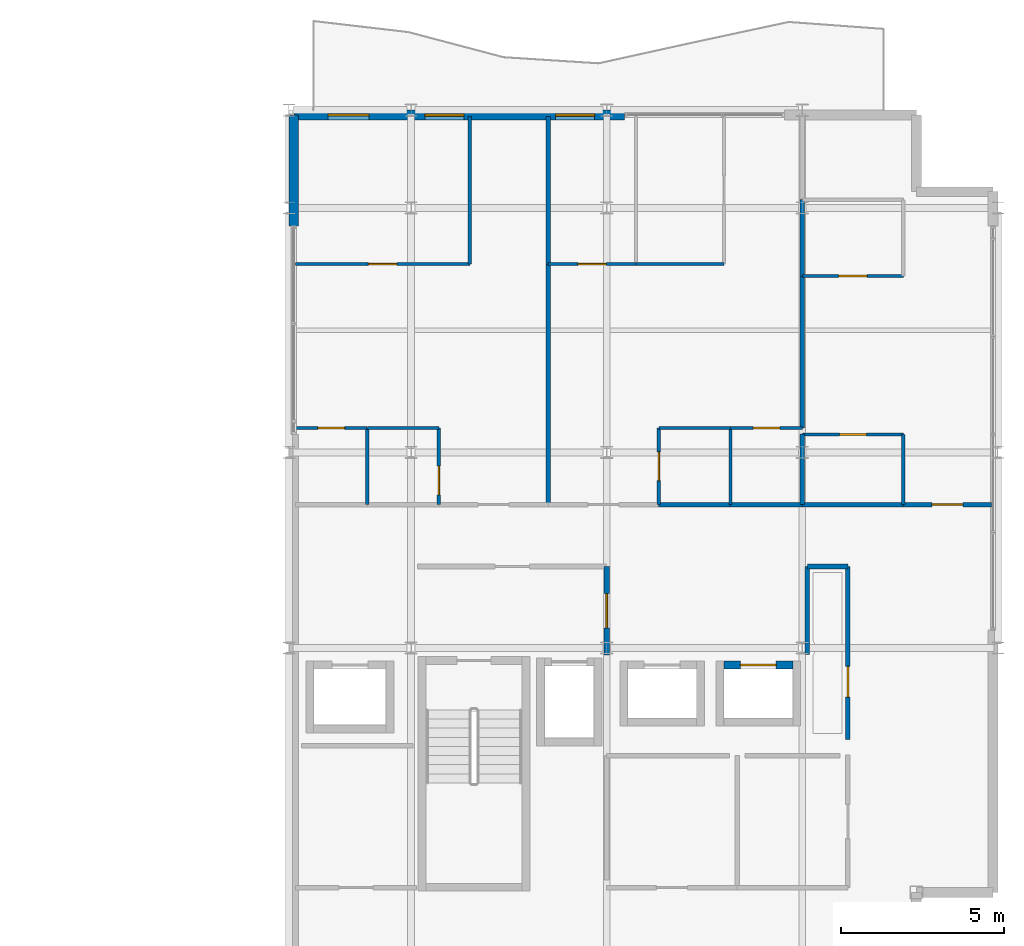
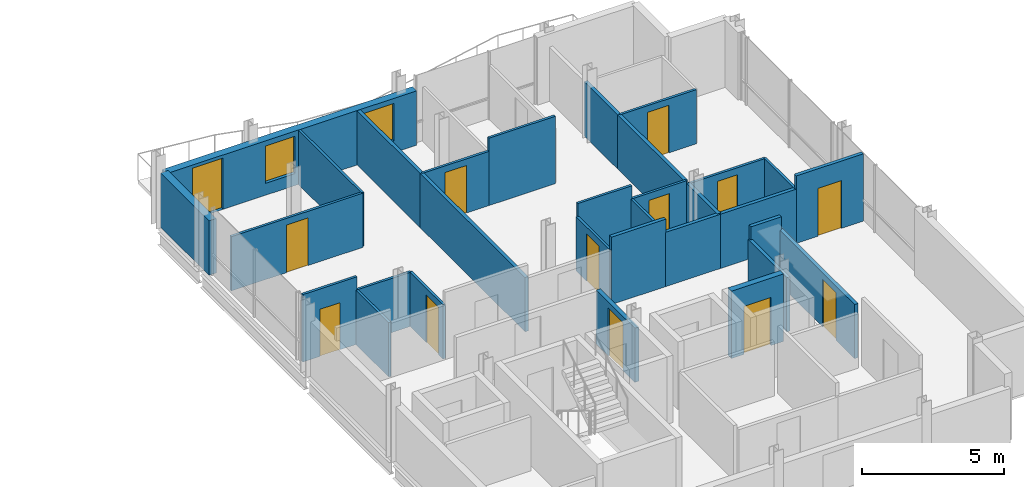
# One storey, part 26 of 29: 31 walls, 13 doors, 2 windows, 15 openings.
"""IFC4 building model written with IfcOpenShell, lengths in metres."""

from ifc_helpers import new_model, si_unit, direction, frame, frame_2d, origin, place, context, subcontext, project, spatial, rectangle, extrude, material, layer, layer_set, type_object, element, fill, save


model = new_model("IFC4")

# Units and contexts
model_context = context("Model", 3, precision=1e-05, world=origin(), true_north=direction((0.0, 1.0)))
body_context = subcontext(model_context, "Body", "Model", "MODEL_VIEW")
ifc_project = project(units=[si_unit("LENGTHUNIT", "METRE"), si_unit("AREAUNIT", "SQUARE_METRE"), si_unit("VOLUMEUNIT", "CUBIC_METRE"), si_unit("PLANEANGLEUNIT", "RADIAN"), si_unit("MASSUNIT", "GRAM", prefix="KILO")], contexts=[model_context])

# Site, building, storey
site_placement = place(None, origin())
site = spatial("IfcSite", under=ifc_project, at=site_placement, CompositionType="ELEMENT")
building_placement = place(site_placement, origin())
building = spatial("IfcBuilding", under=site, at=building_placement, Name="Brevholm Reach", CompositionType="ELEMENT")
storey_placement = place(building_placement, frame((0.0, 0.0, 201.800048828125)))
storey = spatial("IfcBuildingStorey", under=building, at=storey_placement, Name="L61", CompositionType="ELEMENT", Elevation=201.800048828125)

# Wall, opening, door
ifc_material_1 = material(Name="Concrete C45/55", Category="concrete")
ifc_layer_1 = layer(ifc_material_1, 0.239990234375)
ifc_layer_set_1 = layer_set([ifc_layer_1], Name="Concrete C45/55")
wall_type_1 = type_object("IfcWallType", Name="WAL-COR-240", PredefinedType="SHEAR", material=ifc_layer_set_1)
wall_1_placement = place(storey_placement, frame((51.590087890625, 9.47998046875, 0.0), z_axis=(0.0, 0.0, 1.0), x_axis=(1.0, 0.0, 0.0)))
wall_1 = element("IfcWall", 1, at=wall_1_placement, inside=storey, type_object=wall_type_1, Name="L61 Lift PL-H2 Shaft Wall N", PredefinedType="SHEAR", context=body_context, shape_type="SweptSolid", body=[
    extrude(rectangle(XDim=2.119873046875, YDim=0.239990234375, at=frame_2d((1.06005859375, 0.0))), origin(), (0.0, 0.0, 1.0), 2.889892578125),
])
opening_1_placement = place(wall_1_placement, frame((0.510009765625, 0.0, 0.0)))
opening_1 = element("IfcOpeningElement", 2, at=opening_1_placement, cuts=wall_1, Name="Opening LD-PL-H2", PredefinedType="OPENING", context=body_context, shape_type="SweptSolid", body=[
    extrude(rectangle(XDim=1.10009765625, YDim=2.06005859375, at=frame_2d((0.550048828125, 1.030029296875))), frame((0.0, 0.1298828125, 0.0), z_axis=(0.0, -1.0, 0.0), x_axis=(1.0, 0.0, 0.0)), (0.0, 0.0, 1.0), 0.260009765625),
])
ifc_material_2 = material(Name="Brushed Stainless Steel Fire-Rated Sliding Lift Door", Category="steel")
door_type_1 = type_object("IfcDoorType", Name="DOR-LFT-1100", OperationType="NOTDEFINED", PredefinedType="DOOR", material=ifc_material_2)
door_1_placement = place(opening_1_placement, origin())
door_1 = element("IfcDoor", 3, at=door_1_placement, inside=storey, type_object=door_type_1, Name="L61 Lift PL-H2 Sliding Landing Door", OperationType="SLIDING_TO_LEFT", OverallHeight=2.06005859375, OverallWidth=1.10009765625, PredefinedType="DOOR", context=body_context, shape_type="SweptSolid", body=[
    extrude(rectangle(XDim=1.10009765625, YDim=2.06005859375, at=frame_2d((0.550048828125, 1.030029296875))), frame((0.0, 0.02490234375, 0.0), z_axis=(0.0, -1.0, 0.0), x_axis=(1.0, 0.0, 0.0)), (0.0, 0.0, 1.0), 0.050048828125),
])
fill(opening_1, door_1)

# Wall
ifc_material_3 = material(Name="Concrete C40/50", Category="concrete")
ifc_layer_2 = layer(ifc_material_3, 0.300048828125)
ifc_layer_set_2 = layer_set([ifc_layer_2], Name="Concrete C40/50")
wall_type_2 = type_object("IfcWallType", Name="WAL-EXT-300", PredefinedType="STANDARD", material=ifc_layer_set_2)
wall_2_placement = place(storey_placement, frame((38.39990234375, 26.35009765625, 0.0), z_axis=(0.0, 0.0, 1.0), x_axis=(0.0, -1.0, 0.0)))
element("IfcWall", 4, at=wall_2_placement, inside=storey, type_object=wall_type_2, Name="L61 Facade Wall WAL-L61-VP-EN", PredefinedType="STANDARD", context=body_context, shape_type="SweptSolid", body=[
    extrude(rectangle(XDim=3.400146484375, YDim=0.300048828125, at=frame_2d((1.7001953125, 0.0))), origin(), (0.0, 0.0, 1.0), 2.331787109375),
])

# Wall, openings, door, windows
wall_3_placement = place(storey_placement, frame((38.39990234375, 26.35009765625, 0.0), z_axis=(0.0, 0.0, 1.0), x_axis=(1.0, 0.0, 0.0)))
wall_3 = element("IfcWall", 5, at=wall_3_placement, inside=storey, type_object=wall_type_2, Name="L61 Facade Wall WAL-L61-EW-NP1", PredefinedType="STANDARD", context=body_context, shape_type="SweptSolid", body=[
    extrude(rectangle(XDim=10.150146484375, YDim=0.300048828125, at=frame_2d((5.0751953125, 0.0))), origin(), (0.0, 0.0, 1.0), 2.331787109375),
])
opening_2_placement = place(wall_3_placement, frame((1.051025390625, 0.0, 0.0)))
opening_2 = element("IfcOpeningElement", 6, at=opening_2_placement, cuts=wall_3, Name="Opening BD-02", PredefinedType="OPENING", context=body_context, shape_type="SweptSolid", body=[
    extrude(rectangle(XDim=1.25, YDim=2.199951171875, at=frame_2d((0.625, 1.10009765625))), frame((0.0, 0.159912109375, 0.0), z_axis=(0.0, -1.0, 0.0), x_axis=(1.0, 0.0, 0.0)), (0.0, 0.0, 1.0), 0.320068359375),
])
opening_3_placement = place(wall_3_placement, frame((4.02001953125, 0.0, 0.511962890625)))
opening_3 = element("IfcOpeningElement", 7, at=opening_3_placement, cuts=wall_3, Name="Opening WN-08", PredefinedType="OPENING", context=body_context, shape_type="SweptSolid", body=[
    extrude(rectangle(XDim=1.199951171875, YDim=1.60009765625, at=frame_2d((0.60009765625, 0.800048828125))), frame((0.0, 0.159912109375, 0.0), z_axis=(0.0, -1.0, 0.0), x_axis=(1.0, 0.0, 0.0)), (0.0, 0.0, 1.0), 0.320068359375),
])
opening_4_placement = place(wall_3_placement, frame((8.03125, 0.0, 0.511962890625)))
opening_4 = element("IfcOpeningElement", 8, at=opening_4_placement, cuts=wall_3, Name="Opening WN-08", PredefinedType="OPENING", context=body_context, shape_type="SweptSolid", body=[
    extrude(rectangle(XDim=1.199951171875, YDim=1.60009765625, at=frame_2d((0.60009765625, 0.800048828125))), frame((0.0, 0.159912109375, 0.0), z_axis=(0.0, -1.0, 0.0), x_axis=(1.0, 0.0, 0.0)), (0.0, 0.0, 1.0), 0.320068359375),
])
ifc_material_4 = material(Name="Dark Anodised Aluminium and Triple-Glazed Glass", Category="aluminium")
door_type_2 = type_object("IfcDoorType", Name="DOR-BALC-1250", OperationType="NOTDEFINED", PredefinedType="DOOR", material=ifc_material_4)
door_2_placement = place(opening_2_placement, origin())
door_2 = element("IfcDoor", 9, at=door_2_placement, inside=storey, type_object=door_type_2, Name="L61 Exterior Door DOR-L61-BL-NE", OperationType="SINGLE_SWING_LEFT", OverallHeight=2.199951171875, OverallWidth=1.25, PredefinedType="DOOR", context=body_context, shape_type="SweptSolid", body=[
    extrude(rectangle(XDim=1.25, YDim=2.199951171875, at=frame_2d((0.625, 1.10009765625))), frame((0.0, 0.02490234375, 0.0), z_axis=(0.0, -1.0, 0.0), x_axis=(1.0, 0.0, 0.0)), (0.0, 0.0, 1.0), 0.050048828125),
])
fill(opening_2, door_2)
ifc_material_5 = material(Name="Dark Anodised Aluminium and Solar-Control IGU Glass", Category="aluminium")
window_type = type_object("IfcWindowType", Name="WIN-RES-1200", PartitioningType="SINGLE_PANEL", PredefinedType="WINDOW", material=ifc_material_5)
window_1_placement = place(opening_3_placement, origin())
window_1 = element("IfcWindow", 10, at=window_1_placement, inside=storey, type_object=window_type, Name="L61 Window WIN-L61-EW-NP1", OverallHeight=1.60009765625, OverallWidth=1.199951171875, PartitioningType="SINGLE_PANEL", PredefinedType="WINDOW", context=body_context, shape_type="SweptSolid", body=[
    extrude(rectangle(XDim=1.199951171875, YDim=1.60009765625, at=frame_2d((0.60009765625, 0.800048828125))), frame((0.0, 0.030029296875, 0.0), z_axis=(0.0, -1.0, 0.0), x_axis=(1.0, 0.0, 0.0)), (0.0, 0.0, 1.0), 0.06005859375),
])
fill(opening_3, window_1)
window_2_placement = place(opening_4_placement, origin())
window_2 = element("IfcWindow", 11, at=window_2_placement, inside=storey, type_object=window_type, Name="L61 Bedroom Window 062", OverallHeight=1.60009765625, OverallWidth=1.199951171875, PartitioningType="SINGLE_PANEL", PredefinedType="WINDOW", context=body_context, shape_type="SweptSolid", body=[
    extrude(rectangle(XDim=1.199951171875, YDim=1.60009765625, at=frame_2d((0.60009765625, 0.800048828125))), frame((0.0, 0.030029296875, 0.0), z_axis=(0.0, -1.0, 0.0), x_axis=(1.0, 0.0, 0.0)), (0.0, 0.0, 1.0), 0.06005859375),
])
fill(opening_4, window_2)

# Wall
ifc_material_6 = material(Name="Moisture-Resistant Acoustic Gypsum Stud Partition 100 mm", Category="gypsum")
ifc_layer_3 = layer(ifc_material_6, 0.10009765625)
ifc_layer_set_3 = layer_set([ifc_layer_3], Name="Moisture-Resistant Acoustic Gypsum Stud Partition 100 mm")
wall_type_3 = type_object("IfcWallType", Name="WAL-PRT-100", PredefinedType="PARTITIONING", material=ifc_layer_set_3)
wall_4_placement = place(storey_placement, frame((40.64990234375, 14.404052734375, 0.0), z_axis=(0.0, 0.0, 1.0), x_axis=(0.0, 1.0, 0.0)))
element("IfcWall", 12, at=wall_4_placement, inside=storey, type_object=wall_type_3, Name="L61 Internal Partition 070", PredefinedType="PARTITIONING", context=body_context, shape_type="SweptSolid", body=[
    extrude(rectangle(XDim=2.345947265625, YDim=0.10009765625, at=frame_2d((1.1728515625, 0.0))), origin(), (0.0, 0.0, 1.0), 2.325439453125),
])

# Wall, opening, door
wall_5_placement = place(storey_placement, frame((38.449951171875, 16.75, 0.0), z_axis=(0.0, 0.0, 1.0), x_axis=(1.0, 0.0, 0.0)))
wall_5 = element("IfcWall", 13, at=wall_5_placement, inside=storey, type_object=wall_type_3, Name="L61 Internal Partition 071", PredefinedType="PARTITIONING", context=body_context, shape_type="SweptSolid", body=[
    extrude(rectangle(XDim=2.199951171875, YDim=0.10009765625, at=frame_2d((1.10009765625, 0.0))), origin(), (0.0, 0.0, 1.0), 2.889892578125),
])
opening_5_placement = place(wall_5_placement, frame((0.68994140625, 0.0, 0.0)))
opening_5 = element("IfcOpeningElement", 14, at=opening_5_placement, cuts=wall_5, Name="Opening ID-03", PredefinedType="OPENING", context=body_context, shape_type="SweptSolid", body=[
    extrude(rectangle(XDim=0.820068359375, YDim=2.02001953125, at=frame_2d((0.41015625, 1.010009765625))), frame((0.0, 0.06005859375, 0.0), z_axis=(0.0, -1.0, 0.0), x_axis=(1.0, 0.0, 0.0)), (0.0, 0.0, 1.0), 0.1201171875),
])
ifc_material_7 = material(Name="Moisture-Resistant Painted Timber Internal Bathroom Door", Category="wood")
door_type_3 = type_object("IfcDoorType", Name="DOR-BATH-820", OperationType="NOTDEFINED", PredefinedType="DOOR", material=ifc_material_7)
door_3_placement = place(opening_5_placement, origin())
door_3 = element("IfcDoor", 15, at=door_3_placement, inside=storey, type_object=door_type_3, Name="L61 Internal Door 032", OperationType="SINGLE_SWING_LEFT", OverallHeight=2.02001953125, OverallWidth=0.820068359375, PredefinedType="DOOR", context=body_context, shape_type="SweptSolid", body=[
    extrude(rectangle(XDim=0.820068359375, YDim=2.02001953125, at=frame_2d((0.41015625, 1.010009765625))), frame((0.0, 0.02490234375, 0.0), z_axis=(0.0, -1.0, 0.0), x_axis=(1.0, 0.0, 0.0)), (0.0, 0.0, 1.0), 0.050048828125),
])
fill(opening_5, door_3)

wall_6_placement = place(storey_placement, frame((42.85009765625, 14.404052734375, 0.0), z_axis=(0.0, 0.0, 1.0), x_axis=(0.0, 1.0, 0.0)))
wall_6 = element("IfcWall", 16, at=wall_6_placement, inside=storey, type_object=wall_type_3, Name="L61 Internal Partition 072", PredefinedType="PARTITIONING", context=body_context, shape_type="SweptSolid", body=[
    extrude(rectangle(XDim=2.345947265625, YDim=0.10009765625, at=frame_2d((1.1728515625, 0.0))), origin(), (0.0, 0.0, 1.0), 2.325439453125),
])
opening_6_placement = place(wall_6_placement, frame((0.29296875, 0.0, 0.0)))
opening_6 = element("IfcOpeningElement", 17, at=opening_6_placement, cuts=wall_6, Name="Opening ID-01", PredefinedType="OPENING", context=body_context, shape_type="SweptSolid", body=[
    extrude(rectangle(XDim=0.8798828125, YDim=2.0400390625, at=frame_2d((0.43994140625, 1.02001953125))), frame((0.0, 0.06005859375, 0.0), z_axis=(0.0, -1.0, 0.0), x_axis=(1.0, 0.0, 0.0)), (0.0, 0.0, 1.0), 0.1201171875),
])
ifc_material_8 = material(Name="Lacquered Ash Solid-Core Acoustic Internal Door", Category="timber")
door_type_4 = type_object("IfcDoorType", Name="DOR-INT-880", OperationType="NOTDEFINED", PredefinedType="DOOR", material=ifc_material_8)
door_4_placement = place(opening_6_placement, origin())
door_4 = element("IfcDoor", 18, at=door_4_placement, inside=storey, type_object=door_type_4, Name="L61 Internal Door 033", OperationType="SINGLE_SWING_RIGHT", OverallHeight=2.0400390625, OverallWidth=0.8798828125, PredefinedType="DOOR", context=body_context, shape_type="SweptSolid", body=[
    extrude(rectangle(XDim=0.8798828125, YDim=2.0400390625, at=frame_2d((0.43994140625, 1.02001953125))), frame((0.0, 0.02490234375, 0.0), z_axis=(0.0, -1.0, 0.0), x_axis=(1.0, 0.0, 0.0)), (0.0, 0.0, 1.0), 0.050048828125),
])
fill(opening_6, door_4)

# Wall
wall_7_placement = place(storey_placement, frame((40.654052734375, 16.75, 0.0), z_axis=(0.0, 0.0, 1.0), x_axis=(1.0, 0.0, 0.0)))
element("IfcWall", 19, at=wall_7_placement, inside=storey, type_object=wall_type_3, Name="L61 Internal Partition 073", PredefinedType="PARTITIONING", context=body_context, shape_type="SweptSolid", body=[
    extrude(rectangle(XDim=2.196044921875, YDim=0.10009765625, at=frame_2d((1.09814453125, 0.0))), origin(), (0.0, 0.0, 1.0), 2.325439453125),
])

# Wall, opening, door
wall_8_placement = place(storey_placement, frame((38.449951171875, 21.778076171875, 0.0), z_axis=(0.0, 0.0, 1.0), x_axis=(1.0, 0.0, 0.0)))
wall_8 = element("IfcWall", 20, at=wall_8_placement, inside=storey, type_object=wall_type_3, Name="L61 Internal Partition 074", PredefinedType="PARTITIONING", context=body_context, shape_type="SweptSolid", body=[
    extrude(rectangle(XDim=5.35009765625, YDim=0.10009765625, at=frame_2d((2.675048828125, 0.0))), origin(), (0.0, 0.0, 1.0), 2.325439453125),
])
opening_7_placement = place(wall_8_placement, frame((2.235107421875, 0.0, 0.0)))
opening_7 = element("IfcOpeningElement", 21, at=opening_7_placement, cuts=wall_8, Name="Opening ID-01", PredefinedType="OPENING", context=body_context, shape_type="SweptSolid", body=[
    extrude(rectangle(XDim=0.8798828125, YDim=2.0400390625, at=frame_2d((0.43994140625, 1.02001953125))), frame((0.0, 0.06005859375, 0.0), z_axis=(0.0, -1.0, 0.0), x_axis=(1.0, 0.0, 0.0)), (0.0, 0.0, 1.0), 0.1201171875),
])
door_5_placement = place(opening_7_placement, origin())
door_5 = element("IfcDoor", 22, at=door_5_placement, inside=storey, type_object=door_type_4, Name="L61 Internal Door 034", OperationType="SINGLE_SWING_LEFT", OverallHeight=2.0400390625, OverallWidth=0.8798828125, PredefinedType="DOOR", context=body_context, shape_type="SweptSolid", body=[
    extrude(rectangle(XDim=0.8798828125, YDim=2.0400390625, at=frame_2d((0.43994140625, 1.02001953125))), frame((0.0, 0.02490234375, 0.0), z_axis=(0.0, -1.0, 0.0), x_axis=(1.0, 0.0, 0.0)), (0.0, 0.0, 1.0), 0.050048828125),
])
fill(opening_7, door_5)

# Walls
wall_9_placement = place(storey_placement, frame((43.800048828125, 21.778076171875, 0.0), z_axis=(0.0, 0.0, 1.0), x_axis=(0.0, 1.0, 0.0)))
element("IfcWall", 23, at=wall_9_placement, inside=storey, type_object=wall_type_3, Name="L61 Internal Partition 075", PredefinedType="PARTITIONING", context=body_context, shape_type="SweptSolid", body=[
    extrude(rectangle(XDim=4.52197265625, YDim=0.10009765625, at=frame_2d((2.260986328125, 0.0))), origin(), (0.0, 0.0, 1.0), 2.325439453125),
])
wall_10_placement = place(storey_placement, frame((51.800048828125, 14.404052734375, 0.0), z_axis=(0.0, 0.0, 1.0), x_axis=(0.0, 1.0, 0.0)))
element("IfcWall", 24, at=wall_10_placement, inside=storey, type_object=wall_type_3, Name="L61 Internal Partition 078", PredefinedType="PARTITIONING", context=body_context, shape_type="SweptSolid", body=[
    extrude(rectangle(XDim=2.345947265625, YDim=0.10009765625, at=frame_2d((1.1728515625, 0.0))), origin(), (0.0, 0.0, 1.0), 2.325439453125),
])

# Wall, opening, door
wall_11_placement = place(storey_placement, frame((51.800048828125, 16.75, 0.0), z_axis=(0.0, 0.0, 1.0), x_axis=(1.0, 0.0, 0.0)))
wall_11 = element("IfcWall", 25, at=wall_11_placement, inside=storey, type_object=wall_type_3, Name="L61 Internal Partition 079", PredefinedType="PARTITIONING", context=body_context, shape_type="SweptSolid", body=[
    extrude(rectangle(XDim=2.199951171875, YDim=0.10009765625, at=frame_2d((1.10009765625, 0.0))), origin(), (0.0, 0.0, 1.0), 2.325439453125),
])
opening_8_placement = place(wall_11_placement, frame((0.68994140625, 0.0, 0.0)))
opening_8 = element("IfcOpeningElement", 26, at=opening_8_placement, cuts=wall_11, Name="Opening ID-03", PredefinedType="OPENING", context=body_context, shape_type="SweptSolid", body=[
    extrude(rectangle(XDim=0.820068359375, YDim=2.02001953125, at=frame_2d((0.41015625, 1.010009765625))), frame((0.0, 0.06005859375, 0.0), z_axis=(0.0, -1.0, 0.0), x_axis=(1.0, 0.0, 0.0)), (0.0, 0.0, 1.0), 0.1201171875),
])
door_6_placement = place(opening_8_placement, origin())
door_6 = element("IfcDoor", 27, at=door_6_placement, inside=storey, type_object=door_type_3, Name="L61 Internal Door 035", OperationType="SINGLE_SWING_RIGHT", OverallHeight=2.02001953125, OverallWidth=0.820068359375, PredefinedType="DOOR", context=body_context, shape_type="SweptSolid", body=[
    extrude(rectangle(XDim=0.820068359375, YDim=2.02001953125, at=frame_2d((0.41015625, 1.010009765625))), frame((0.0, 0.02490234375, 0.0), z_axis=(0.0, -1.0, 0.0), x_axis=(1.0, 0.0, 0.0)), (0.0, 0.0, 1.0), 0.050048828125),
])
fill(opening_8, door_6)

# Wall
wall_12_placement = place(storey_placement, frame((49.60009765625, 16.75, 0.0), z_axis=(0.0, 0.0, 1.0), x_axis=(1.0, 0.0, 0.0)))
element("IfcWall", 28, at=wall_12_placement, inside=storey, type_object=wall_type_3, Name="L61 Internal Partition 081", PredefinedType="PARTITIONING", context=body_context, shape_type="SweptSolid", body=[
    extrude(rectangle(XDim=2.19580078125, YDim=0.10009765625, at=frame_2d((1.097900390625, 0.0))), origin(), (0.0, 0.0, 1.0), 2.889892578125),
])

# Wall, opening, door
wall_13_placement = place(storey_placement, frame((49.60009765625, 14.404052734375, 0.0), z_axis=(0.0, 0.0, 1.0), x_axis=(0.0, 1.0, 0.0)))
wall_13 = element("IfcWall", 29, at=wall_13_placement, inside=storey, type_object=wall_type_3, Name="L61 Internal Partition 082", PredefinedType="PARTITIONING", context=body_context, shape_type="SweptSolid", body=[
    extrude(rectangle(XDim=2.345947265625, YDim=0.10009765625, at=frame_2d((1.1728515625, 0.0))), origin(), (0.0, 0.0, 1.0), 2.325439453125),
])
opening_9_placement = place(wall_13_placement, frame((0.73291015625, 0.0, 0.0)))
opening_9 = element("IfcOpeningElement", 30, at=opening_9_placement, cuts=wall_13, Name="Opening ID-01", PredefinedType="OPENING", context=body_context, shape_type="SweptSolid", body=[
    extrude(rectangle(XDim=0.8798828125, YDim=2.0400390625, at=frame_2d((0.43994140625, 1.02001953125))), frame((0.0, 0.06005859375, 0.0), z_axis=(0.0, -1.0, 0.0), x_axis=(1.0, 0.0, 0.0)), (0.0, 0.0, 1.0), 0.1201171875),
])
door_7_placement = place(opening_9_placement, origin())
door_7 = element("IfcDoor", 31, at=door_7_placement, inside=storey, type_object=door_type_4, Name="L61 Internal Door 036", OperationType="SINGLE_SWING_LEFT", OverallHeight=2.0400390625, OverallWidth=0.8798828125, PredefinedType="DOOR", context=body_context, shape_type="SweptSolid", body=[
    extrude(rectangle(XDim=0.8798828125, YDim=2.0400390625, at=frame_2d((0.43994140625, 1.02001953125))), frame((0.0, 0.02490234375, 0.0), z_axis=(0.0, -1.0, 0.0), x_axis=(1.0, 0.0, 0.0)), (0.0, 0.0, 1.0), 0.050048828125),
])
fill(opening_9, door_7)

wall_14_placement = place(storey_placement, frame((46.2041015625, 21.778076171875, 0.0), z_axis=(0.0, 0.0, 1.0), x_axis=(1.0, 0.0, 0.0)))
wall_14 = element("IfcWall", 32, at=wall_14_placement, inside=storey, type_object=wall_type_3, Name="L61 Internal Partition 084", PredefinedType="PARTITIONING", context=body_context, shape_type="SweptSolid", body=[
    extrude(rectangle(XDim=2.69580078125, YDim=0.10009765625, at=frame_2d((1.347900390625, 0.0))), origin(), (0.0, 0.0, 1.0), 2.325439453125),
])
opening_10_placement = place(wall_14_placement, frame((0.907958984375, 0.0, 0.0)))
opening_10 = element("IfcOpeningElement", 33, at=opening_10_placement, cuts=wall_14, Name="Opening ID-01", PredefinedType="OPENING", context=body_context, shape_type="SweptSolid", body=[
    extrude(rectangle(XDim=0.8798828125, YDim=2.0400390625, at=frame_2d((0.43994140625, 1.02001953125))), frame((0.0, 0.06005859375, 0.0), z_axis=(0.0, -1.0, 0.0), x_axis=(1.0, 0.0, 0.0)), (0.0, 0.0, 1.0), 0.1201171875),
])
door_8_placement = place(opening_10_placement, origin())
door_8 = element("IfcDoor", 34, at=door_8_placement, inside=storey, type_object=door_type_4, Name="L61 Internal Door 037", OperationType="SINGLE_SWING_RIGHT", OverallHeight=2.0400390625, OverallWidth=0.8798828125, PredefinedType="DOOR", context=body_context, shape_type="SweptSolid", body=[
    extrude(rectangle(XDim=0.8798828125, YDim=2.0400390625, at=frame_2d((0.43994140625, 1.02001953125))), frame((0.0, 0.02490234375, 0.0), z_axis=(0.0, -1.0, 0.0), x_axis=(1.0, 0.0, 0.0)), (0.0, 0.0, 1.0), 0.050048828125),
])
fill(opening_10, door_8)

# Walls
wall_15_placement = place(storey_placement, frame((48.904052734375, 21.778076171875, 0.0), z_axis=(0.0, 0.0, 1.0), x_axis=(1.0, 0.0, 0.0)))
element("IfcWall", 35, at=wall_15_placement, inside=storey, type_object=wall_type_3, Name="L61 Internal Partition 085", PredefinedType="PARTITIONING", context=body_context, shape_type="SweptSolid", body=[
    extrude(rectangle(XDim=2.696044921875, YDim=0.10009765625, at=frame_2d((1.34814453125, 0.0))), origin(), (0.0, 0.0, 1.0), 2.889892578125),
])
wall_16_placement = place(storey_placement, frame((57.10009765625, 14.404052734375, 0.0), z_axis=(0.0, 0.0, 1.0), x_axis=(0.0, 1.0, 0.0)))
element("IfcWall", 36, at=wall_16_placement, inside=storey, type_object=wall_type_3, Name="L61 Internal Partition 090", PredefinedType="PARTITIONING", context=body_context, shape_type="SweptSolid", body=[
    extrude(rectangle(XDim=2.14697265625, YDim=0.10009765625, at=frame_2d((1.073486328125, 0.0))), origin(), (0.0, 0.0, 1.0), 2.325439453125),
])

# Wall, opening, door
wall_17_placement = place(storey_placement, frame((54.00390625, 16.551025390625, 0.0), z_axis=(0.0, 0.0, 1.0), x_axis=(1.0, 0.0, 0.0)))
wall_17 = element("IfcWall", 37, at=wall_17_placement, inside=storey, type_object=wall_type_3, Name="L61 Internal Partition 091", PredefinedType="PARTITIONING", context=body_context, shape_type="SweptSolid", body=[
    extrude(rectangle(XDim=3.09619140625, YDim=0.10009765625, at=frame_2d((1.548095703125, 0.0))), origin(), (0.0, 0.0, 1.0), 2.325439453125),
])
opening_11_placement = place(wall_17_placement, frame((1.137939453125, 0.0, 0.0)))
opening_11 = element("IfcOpeningElement", 38, at=opening_11_placement, cuts=wall_17, Name="Opening ID-03", PredefinedType="OPENING", context=body_context, shape_type="SweptSolid", body=[
    extrude(rectangle(XDim=0.820068359375, YDim=2.02001953125, at=frame_2d((0.41015625, 1.010009765625))), frame((0.0, 0.06005859375, 0.0), z_axis=(0.0, -1.0, 0.0), x_axis=(1.0, 0.0, 0.0)), (0.0, 0.0, 1.0), 0.1201171875),
])
door_9_placement = place(opening_11_placement, origin())
door_9 = element("IfcDoor", 39, at=door_9_placement, inside=storey, type_object=door_type_3, Name="L61 Internal Door 039", OperationType="SINGLE_SWING_RIGHT", OverallHeight=2.02001953125, OverallWidth=0.820068359375, PredefinedType="DOOR", context=body_context, shape_type="SweptSolid", body=[
    extrude(rectangle(XDim=0.820068359375, YDim=2.02001953125, at=frame_2d((0.41015625, 1.010009765625))), frame((0.0, 0.02490234375, 0.0), z_axis=(0.0, -1.0, 0.0), x_axis=(1.0, 0.0, 0.0)), (0.0, 0.0, 1.0), 0.050048828125),
])
fill(opening_11, door_9)

wall_18_placement = place(storey_placement, frame((54.00390625, 21.4130859375, 0.0), z_axis=(0.0, 0.0, 1.0), x_axis=(1.0, 0.0, 0.0)))
wall_18 = element("IfcWall", 40, at=wall_18_placement, inside=storey, type_object=wall_type_3, Name="L61 Internal Partition 092", PredefinedType="PARTITIONING", context=body_context, shape_type="SweptSolid", body=[
    extrude(rectangle(XDim=3.09619140625, YDim=0.10009765625, at=frame_2d((1.548095703125, 0.0))), origin(), (0.0, 0.0, 1.0), 2.325439453125),
])
opening_12_placement = place(wall_18_placement, frame((1.10791015625, 0.0, 0.0)))
opening_12 = element("IfcOpeningElement", 41, at=opening_12_placement, cuts=wall_18, Name="Opening ID-01", PredefinedType="OPENING", context=body_context, shape_type="SweptSolid", body=[
    extrude(rectangle(XDim=0.8798828125, YDim=2.0400390625, at=frame_2d((0.43994140625, 1.02001953125))), frame((0.0, 0.06005859375, 0.0), z_axis=(0.0, -1.0, 0.0), x_axis=(1.0, 0.0, 0.0)), (0.0, 0.0, 1.0), 0.1201171875),
])
door_10_placement = place(opening_12_placement, origin())
door_10 = element("IfcDoor", 42, at=door_10_placement, inside=storey, type_object=door_type_4, Name="L61 Internal Door 040", OperationType="SINGLE_SWING_LEFT", OverallHeight=2.0400390625, OverallWidth=0.8798828125, PredefinedType="DOOR", context=body_context, shape_type="SweptSolid", body=[
    extrude(rectangle(XDim=0.8798828125, YDim=2.0400390625, at=frame_2d((0.43994140625, 1.02001953125))), frame((0.0, 0.02490234375, 0.0), z_axis=(0.0, -1.0, 0.0), x_axis=(1.0, 0.0, 0.0)), (0.0, 0.0, 1.0), 0.050048828125),
])
fill(opening_12, door_10)

ifc_material_9 = material(Name="Twin-Stud Acoustic Fire-Rated Gypsum Partition 140 mm", Category="gypsum")
ifc_layer_4 = layer(ifc_material_9, 0.139892578125)
ifc_layer_set_4 = layer_set([ifc_layer_4], Name="Twin-Stud Acoustic Fire-Rated Gypsum Partition 140 mm")
wall_type_4 = type_object("IfcWallType", Name="WAL-PRT-140", PredefinedType="PARTITIONING", material=ifc_layer_set_4)
wall_19_placement = place(storey_placement, frame((55.39990234375, 7.188720703125, 0.0), z_axis=(0.0, 0.0, 1.0), x_axis=(0.0, 1.0, 0.0)))
wall_19 = element("IfcWall", 43, at=wall_19_placement, inside=storey, type_object=wall_type_4, Name="L61 Internal Partition 007", PredefinedType="PARTITIONING", context=body_context, shape_type="SweptSolid", body=[
    extrude(rectangle(XDim=5.311279296875, YDim=0.139892578125, at=frame_2d((2.65576171875, 0.0))), origin(), (0.0, 0.0, 1.0), 2.325439453125),
])
opening_13_placement = place(wall_19_placement, frame((1.30078125, 0.0, 0.0)))
opening_13 = element("IfcOpeningElement", 44, at=opening_13_placement, cuts=wall_19, Name="Opening ID-30", PredefinedType="OPENING", context=body_context, shape_type="SweptSolid", body=[
    extrude(rectangle(XDim=0.949951171875, YDim=2.050048828125, at=frame_2d((0.47509765625, 1.02490234375))), frame((0.0, 0.079833984375, 0.0), z_axis=(0.0, -1.0, 0.0), x_axis=(1.0, 0.0, 0.0)), (0.0, 0.0, 1.0), 0.159912109375),
])
ifc_material_10 = material(Name="European Oak Veneered Solid-Core Fire Entrance Door", Category="timber")
door_type_5 = type_object("IfcDoorType", Name="DOR-FLT-FD30S", OperationType="NOTDEFINED", PredefinedType="DOOR", material=ifc_material_10)
door_11_placement = place(opening_13_placement, origin())
door_11 = element("IfcDoor", 45, at=door_11_placement, inside=storey, type_object=door_type_5, Name="L61 Internal Door 005", OperationType="SINGLE_SWING_RIGHT", OverallHeight=2.050048828125, OverallWidth=0.949951171875, PredefinedType="DOOR", context=body_context, shape_type="SweptSolid", body=[
    extrude(rectangle(XDim=0.949951171875, YDim=2.050048828125, at=frame_2d((0.47509765625, 1.02490234375))), frame((0.0, 0.02490234375, 0.0), z_axis=(0.0, -1.0, 0.0), x_axis=(1.0, 0.0, 0.0)), (0.0, 0.0, 1.0), 0.050048828125),
])
fill(opening_13, door_11)

# Walls
wall_20_placement = place(storey_placement, frame((54.14990234375, 9.800048828125, 0.0), z_axis=(0.0, 0.0, 1.0), x_axis=(0.0, 1.0, 0.0)))
element("IfcWall", 46, at=wall_20_placement, inside=storey, type_object=wall_type_4, Name="L61 Internal Partition 029", PredefinedType="PARTITIONING", context=body_context, shape_type="SweptSolid", body=[
    extrude(rectangle(XDim=2.699951171875, YDim=0.139892578125, at=frame_2d((1.35009765625, 0.0))), origin(), (0.0, 0.0, 1.0), 2.325439453125),
])
wall_21_placement = place(storey_placement, frame((54.154052734375, 12.5, 0.0), z_axis=(0.0, 0.0, 1.0), x_axis=(1.0, 0.0, 0.0)))
element("IfcWall", 47, at=wall_21_placement, inside=storey, type_object=wall_type_4, Name="L61 Internal Partition 030", PredefinedType="PARTITIONING", context=body_context, shape_type="SweptSolid", body=[
    extrude(rectangle(XDim=1.241943359375, YDim=0.139892578125, at=frame_2d((0.62109375, 0.0))), origin(), (0.0, 0.0, 1.0), 2.889892578125),
])
wall_22_placement = place(storey_placement, frame((51.788818359375, 14.39990234375, 0.0), z_axis=(0.0, 0.0, 1.0), x_axis=(1.0, 0.0, 0.0)))
element("IfcWall", 48, at=wall_22_placement, inside=storey, type_object=wall_type_4, Name="L61 Internal Partition 034", PredefinedType="PARTITIONING", context=body_context, shape_type="SweptSolid", body=[
    extrude(rectangle(XDim=2.222412109375, YDim=0.139892578125, at=frame_2d((1.111328125, 0.0))), origin(), (0.0, 0.0, 1.0), 2.325439453125),
])
wall_23_placement = place(storey_placement, frame((49.588623046875, 14.39990234375, 0.0), z_axis=(0.0, 0.0, 1.0), x_axis=(1.0, 0.0, 0.0)))
element("IfcWall", 49, at=wall_23_placement, inside=storey, type_object=wall_type_4, Name="L61 Internal Partition 035", PredefinedType="PARTITIONING", context=body_context, shape_type="SweptSolid", body=[
    extrude(rectangle(XDim=2.21875, YDim=0.139892578125, at=frame_2d((1.109375, 0.0))), origin(), (0.0, 0.0, 1.0), 2.889892578125),
])
wall_24_placement = place(storey_placement, frame((53.99267578125, 14.39990234375, 0.0), z_axis=(0.0, 0.0, 1.0), x_axis=(1.0, 0.0, 0.0)))
element("IfcWall", 50, at=wall_24_placement, inside=storey, type_object=wall_type_4, Name="L61 Internal Partition 037", PredefinedType="PARTITIONING", context=body_context, shape_type="SweptSolid", body=[
    extrude(rectangle(XDim=3.11865234375, YDim=0.139892578125, at=frame_2d((1.559326171875, 0.0))), origin(), (0.0, 0.0, 1.0), 2.325439453125),
])

# Wall, opening, door
wall_25_placement = place(storey_placement, frame((57.0927734375, 14.39990234375, 0.0), z_axis=(0.0, 0.0, 1.0), x_axis=(1.0, 0.0, 0.0)))
wall_25 = element("IfcWall", 51, at=wall_25_placement, inside=storey, type_object=wall_type_4, Name="L61 Internal Partition 038", PredefinedType="PARTITIONING", context=body_context, shape_type="SweptSolid", body=[
    extrude(rectangle(XDim=2.718505859375, YDim=0.139892578125, at=frame_2d((1.359375, 0.0))), origin(), (0.0, 0.0, 1.0), 2.889892578125),
])
opening_14_placement = place(wall_25_placement, frame((0.88427734375, 0.0, 0.0)))
opening_14 = element("IfcOpeningElement", 52, at=opening_14_placement, cuts=wall_25, Name="Opening ID-30", PredefinedType="OPENING", context=body_context, shape_type="SweptSolid", body=[
    extrude(rectangle(XDim=0.949951171875, YDim=2.050048828125, at=frame_2d((0.47509765625, 1.02490234375))), frame((0.0, 0.079833984375, 0.0), z_axis=(0.0, -1.0, 0.0), x_axis=(1.0, 0.0, 0.0)), (0.0, 0.0, 1.0), 0.159912109375),
])
door_12_placement = place(opening_14_placement, origin())
door_12 = element("IfcDoor", 53, at=door_12_placement, inside=storey, type_object=door_type_5, Name="L61 Internal Door 018", OperationType="SINGLE_SWING_LEFT", OverallHeight=2.050048828125, OverallWidth=0.949951171875, PredefinedType="DOOR", context=body_context, shape_type="SweptSolid", body=[
    extrude(rectangle(XDim=0.949951171875, YDim=2.050048828125, at=frame_2d((0.47509765625, 1.02490234375))), frame((0.0, 0.02490234375, 0.0), z_axis=(0.0, -1.0, 0.0), x_axis=(1.0, 0.0, 0.0)), (0.0, 0.0, 1.0), 0.050048828125),
])
fill(opening_14, door_12)

# Walls
wall_26_placement = place(storey_placement, frame((46.199951171875, 21.7666015625, 0.0), z_axis=(0.0, 0.0, 1.0), x_axis=(0.0, 1.0, 0.0)))
element("IfcWall", 54, at=wall_26_placement, inside=storey, type_object=wall_type_4, Name="L61 Internal Partition 076", PredefinedType="PARTITIONING", context=body_context, shape_type="SweptSolid", body=[
    extrude(rectangle(XDim=4.533447265625, YDim=0.139892578125, at=frame_2d((2.2666015625, 0.0))), origin(), (0.0, 0.0, 1.0), 2.325439453125),
])
wall_27_placement = place(storey_placement, frame((46.199951171875, 14.404052734375, 0.0), z_axis=(0.0, 0.0, 1.0), x_axis=(0.0, 1.0, 0.0)))
element("IfcWall", 55, at=wall_27_placement, inside=storey, type_object=wall_type_4, Name="L61 Internal Partition 077", PredefinedType="PARTITIONING", context=body_context, shape_type="SweptSolid", body=[
    extrude(rectangle(XDim=7.38134765625, YDim=0.139892578125, at=frame_2d((3.690673828125, 0.0))), origin(), (0.0, 0.0, 1.0), 2.325439453125),
])
wall_28_placement = place(storey_placement, frame((54.0, 14.404052734375, 0.0), z_axis=(0.0, 0.0, 1.0), x_axis=(0.0, 1.0, 0.0)))
element("IfcWall", 56, at=wall_28_placement, inside=storey, type_object=wall_type_4, Name="L61 Internal Partition 080", PredefinedType="PARTITIONING", context=body_context, shape_type="SweptSolid", body=[
    extrude(rectangle(XDim=2.158203125, YDim=0.139892578125, at=frame_2d((1.0791015625, 0.0))), origin(), (0.0, 0.0, 1.0), 2.325439453125),
])
wall_29_placement = place(storey_placement, frame((54.0, 21.401611328125, 0.0), z_axis=(0.0, 0.0, 1.0), x_axis=(0.0, 1.0, 0.0)))
element("IfcWall", 57, at=wall_29_placement, inside=storey, type_object=wall_type_4, Name="L61 Internal Partition 087", PredefinedType="PARTITIONING", context=body_context, shape_type="SweptSolid", body=[
    extrude(rectangle(XDim=2.359619140625, YDim=0.139892578125, at=frame_2d((1.1796875, 0.0))), origin(), (0.0, 0.0, 1.0), 2.325439453125),
])
wall_30_placement = place(storey_placement, frame((54.0, 16.75390625, 0.0), z_axis=(0.0, 0.0, 1.0), x_axis=(0.0, 1.0, 0.0)))
element("IfcWall", 58, at=wall_30_placement, inside=storey, type_object=wall_type_4, Name="L61 Internal Partition 088", PredefinedType="PARTITIONING", context=body_context, shape_type="SweptSolid", body=[
    extrude(rectangle(XDim=4.66650390625, YDim=0.139892578125, at=frame_2d((2.333251953125, 0.0))), origin(), (0.0, 0.0, 1.0), 2.325439453125),
])

# Wall, opening, door
ifc_material_11 = material(Name="Twin-Frame Fire-Rated Gypsum Board and Mineral Wool 160 mm", Category="gypsum")
ifc_layer_5 = layer(ifc_material_11, 0.159912109375)
ifc_layer_set_5 = layer_set([ifc_layer_5], Name="Twin-Frame Fire-Rated Gypsum Board and Mineral Wool 160 mm")
wall_type_5 = type_object("IfcWallType", Name="WAL-PRT-160", PredefinedType="PARTITIONING", material=ifc_layer_set_5)
wall_31_placement = place(storey_placement, frame((48.0, 9.788818359375, 0.0), z_axis=(0.0, 0.0, 1.0), x_axis=(0.0, 1.0, 0.0)))
wall_31 = element("IfcWall", 59, at=wall_31_placement, inside=storey, type_object=wall_type_5, Name="L61 Internal Partition 027", PredefinedType="PARTITIONING", context=body_context, shape_type="SweptSolid", body=[
    extrude(rectangle(XDim=2.711181640625, YDim=0.159912109375, at=frame_2d((1.35546875, 0.0))), origin(), (0.0, 0.0, 1.0), 2.325439453125),
])
opening_15_placement = place(wall_31_placement, frame((0.83056640625, 0.0, 0.0)))
opening_15 = element("IfcOpeningElement", 60, at=opening_15_placement, cuts=wall_31, Name="Opening FD-01", PredefinedType="OPENING", context=body_context, shape_type="SweptSolid", body=[
    extrude(rectangle(XDim=1.050048828125, YDim=2.06005859375, at=frame_2d((0.52490234375, 1.030029296875))), frame((0.0, 0.08984375, 0.0), z_axis=(0.0, -1.0, 0.0), x_axis=(1.0, 0.0, 0.0)), (0.0, 0.0, 1.0), 0.179931640625),
])
ifc_material_12 = material(Name="Hardwood-Lipped Steel-Core Fire and Smoke Door", Category="steel")
door_type_6 = type_object("IfcDoorType", Name="DOR-INT-FD60S", OperationType="NOTDEFINED", PredefinedType="DOOR", material=ifc_material_12)
door_13_placement = place(opening_15_placement, origin())
door_13 = element("IfcDoor", 61, at=door_13_placement, inside=storey, type_object=door_type_6, Name="L61 Internal Door 014", OperationType="SINGLE_SWING_LEFT", OverallHeight=2.06005859375, OverallWidth=1.050048828125, PredefinedType="DOOR", context=body_context, shape_type="SweptSolid", body=[
    extrude(rectangle(XDim=1.050048828125, YDim=2.06005859375, at=frame_2d((0.52490234375, 1.030029296875))), frame((0.0, 0.02490234375, 0.0), z_axis=(0.0, -1.0, 0.0), x_axis=(1.0, 0.0, 0.0)), (0.0, 0.0, 1.0), 0.050048828125),
])
fill(opening_15, door_13)

save(model, "model.ifc")
